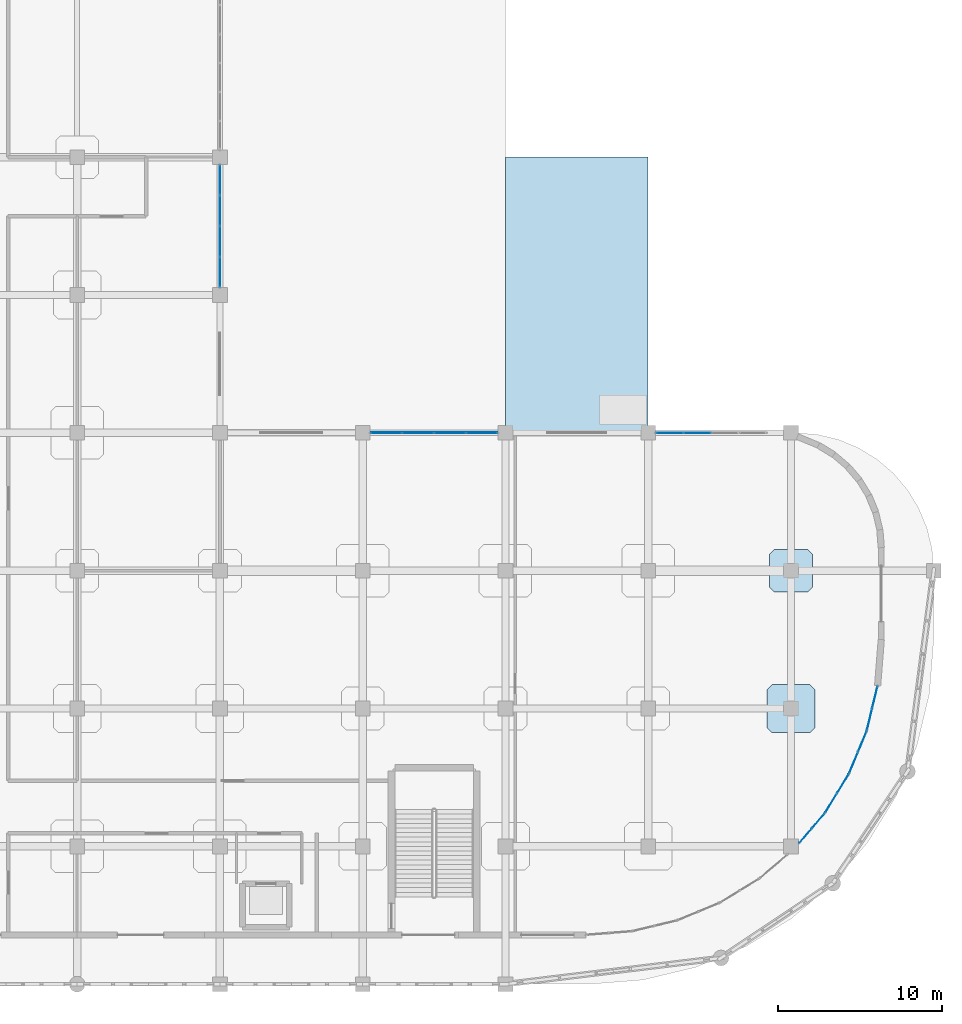
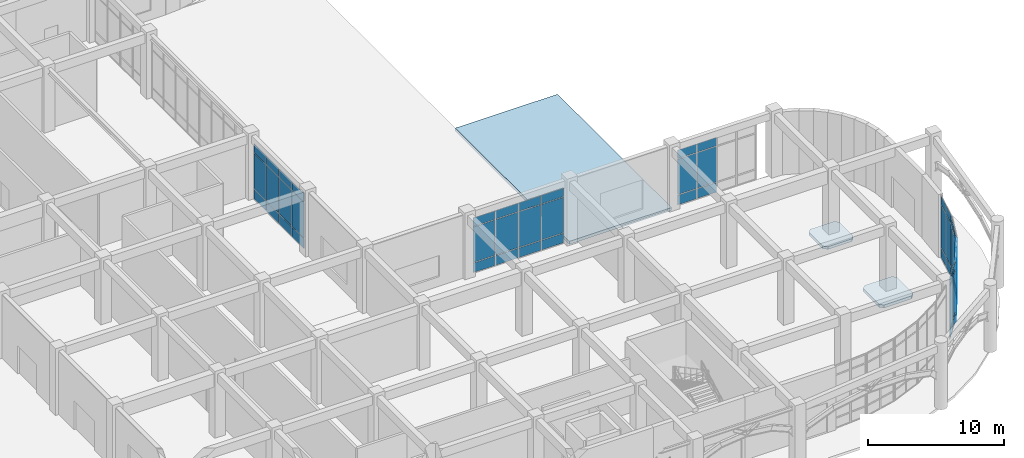
# One storey, part 57 of 82: 54 plates, 3 slabs, 7 elements without a shape of their own.
"""IFC4 building model written with IfcOpenShell, lengths in metres."""

from ifc_helpers import new_model, si_unit, derived_unit, direction, frame, origin, origin_2d, place, context, subcontext, project, spatial, polyline, rectangle, outline, extrude, material, layer, layer_set, type_object, element, aggregate, save


model = new_model("IFC4")

# Units and contexts
model_context = context("Model", 3, precision=1e-05, world=origin(), true_north=direction((0.0, 1.0)))
body_context = subcontext(model_context, "Body", "Model", "MODEL_VIEW")
ifc_project = project(units=[si_unit("LENGTHUNIT", "METRE"), si_unit("AREAUNIT", "SQUARE_METRE"), si_unit("VOLUMEUNIT", "CUBIC_METRE"), si_unit("PLANEANGLEUNIT", "RADIAN"), si_unit("MASSUNIT", "GRAM", prefix="KILO"), derived_unit("THERMALTRANSMITTANCEUNIT", [(si_unit("MASSUNIT", "GRAM", prefix="KILO"), 1), (si_unit("TIMEUNIT", "SECOND"), -3), (si_unit("THERMODYNAMICTEMPERATUREUNIT", "KELVIN"), -1)])], contexts=[model_context])

# Site, building, storey
site_placement = place(None, origin())
site = spatial("IfcSite", under=ifc_project, at=site_placement, CompositionType="ELEMENT")
building_placement = place(site_placement, origin())
building = spatial("IfcBuilding", under=site, at=building_placement, Name="Qinzheling Arcade Emporium", CompositionType="ELEMENT")
storey_placement = place(building_placement, origin())
storey = spatial("IfcBuildingStorey", under=building, at=storey_placement, Name="L01", CompositionType="ELEMENT", Elevation=0.0)

# Slabs
ifc_material_1 = material(Name="Concrete C40", Category="concrete")
ifc_layer_1 = layer(ifc_material_1, 0.235107421875, Name="Concrete C40", Category="concrete")
ifc_layer_set_1 = layer_set([ifc_layer_1], Name="Concrete C40")
slab_type_1 = type_object("IfcSlabType", Name="Column Head Drop Panel 2600x2600x235 C40", PredefinedType="USERDEFINED", material=ifc_layer_set_1)
slab_1_placement = place(storey_placement, frame((0.0, 0.0, -0.574951171875)))
element("IfcSlab", 1, at=slab_1_placement, inside=storey, type_object=slab_type_1, Name="Column Drop Panel DP-L01-20-D", ObjectType="DROP_PANEL", PredefinedType="USERDEFINED", context=body_context, shape_type="SweptSolid", body=[
    extrude(outline(polyline([(164.280029296875, 23.89990234375), (166.320068359375, 23.89990234375), (166.60009765625, 24.179931640625), (166.60009765625, 26.219970703125), (166.320068359375, 26.5), (164.280029296875, 26.5), (164.0, 26.219970703125), (164.0, 24.179931640625), (164.280029296875, 23.89990234375)])), origin(), (0.0, 0.0, 1.0), 0.23486328125),
])
ifc_layer_2 = layer(ifc_material_1, 0.27001953125, Name="Concrete C40", Category="concrete")
ifc_layer_set_2 = layer_set([ifc_layer_2], Name="Concrete C40")
slab_type_2 = type_object("IfcSlabType", Name="Column Head Drop Panel 2900x2900x270 C40", PredefinedType="USERDEFINED", material=ifc_layer_set_2)
slab_2_placement = place(storey_placement, frame((0.0, 0.0, -0.610107421875)))
element("IfcSlab", 2, at=slab_2_placement, inside=storey, type_object=slab_type_2, Name="Column Drop Panel DP-L01-20-C", ObjectType="DROP_PANEL", PredefinedType="USERDEFINED", context=body_context, shape_type="SweptSolid", body=[
    extrude(outline(polyline([(164.1298828125, 15.35009765625), (166.469970703125, 15.35009765625), (166.75, 15.6298828125), (166.75, 17.969970703125), (166.469970703125, 18.25), (164.1298828125, 18.25), (163.85009765625, 17.969970703125), (163.85009765625, 15.6298828125), (164.1298828125, 15.35009765625)])), origin(), (0.0, 0.0, 1.0), 0.27001953125),
])

# Curtain wall, plates
ifc_material_2 = material(Name="Anodised aluminium and solar-control double glazing", Category="aluminium")
ifc_layer_3 = layer(ifc_material_2, 0.159912109375, Name="Anodised aluminium and solar-control double glazing", Category="aluminium")
ifc_layer_set_3 = layer_set([ifc_layer_3], Name="Anodised aluminium and solar-control double glazing")
curtain_wall_type_1 = type_object("IfcCurtainWallType", Name="Food Hall Loggia Curtain Wall", PredefinedType="NOTDEFINED", material=ifc_layer_set_3)
curtain_wall_1_placement = place(storey_placement, origin())
curtain_wall_1 = element("IfcCurtainWall", 3, at=curtain_wall_1_placement, inside=storey, type_object=curtain_wall_type_1, Name="Curtain Wall CW-L01-048", PredefinedType="NOTDEFINED")
ifc_material_3 = material(Name="Laminated solar-control double glazing", Category="glass")
ifc_layer_4 = layer(ifc_material_3, 0.02099609375, Name="Laminated solar-control double glazing", Category="glass")
ifc_layer_set_4 = layer_set([ifc_layer_4], Name="Laminated solar-control double glazing")
plate_type_1 = type_object("IfcPlateType", Name="Low-E Double Glazed Curtain Panel 21mm", PredefinedType="CURTAIN_PANEL", material=ifc_layer_set_4)
plate_1_placement = place(storey_placement, frame((157.910400390625, 33.60009765625, 0.06005859375), z_axis=(0.0, 0.0, 1.0), x_axis=(1.0, 0.0, 0.0)))
plate_1 = element("IfcPlate", 4, at=plate_1_placement, type_object=plate_type_1, Name="CW04 panel 1.1", PredefinedType="CURTAIN_PANEL", context=body_context, shape_type="SweptSolid", body=[
    extrude(rectangle(XDim=1.596923828125, YDim=0.02099609375, at=origin_2d()), origin(), (0.0, 0.0, 1.0), 0.860107421875),
])
plate_2_placement = place(storey_placement, frame((157.910400390625, 33.60009765625, 0.97998046875), z_axis=(0.0, 0.0, 1.0), x_axis=(1.0, 0.0, 0.0)))
plate_2 = element("IfcPlate", 5, at=plate_2_placement, type_object=plate_type_1, Name="CW04 panel 1.2", PredefinedType="CURTAIN_PANEL", context=body_context, shape_type="SweptSolid", body=[
    extrude(rectangle(XDim=1.596923828125, YDim=0.02099609375, at=origin_2d()), origin(), (0.0, 0.0, 1.0), 3.179931640625),
])
plate_3_placement = place(storey_placement, frame((157.910400390625, 33.60009765625, 4.22021484375), z_axis=(0.0, 0.0, 1.0), x_axis=(1.0, 0.0, 0.0)))
plate_3 = element("IfcPlate", 6, at=plate_3_placement, type_object=plate_type_1, Name="CW04 panel 1.3", PredefinedType="CURTAIN_PANEL", context=body_context, shape_type="SweptSolid", body=[
    extrude(rectangle(XDim=1.596923828125, YDim=0.02099609375, at=origin_2d()), origin(), (0.0, 0.0, 1.0), 0.760009765625),
])
plate_4_placement = place(storey_placement, frame((159.58251953125, 33.60009765625, 0.06005859375), z_axis=(0.0, 0.0, 1.0), x_axis=(1.0, 0.0, 0.0)))
plate_4 = element("IfcPlate", 7, at=plate_4_placement, type_object=plate_type_1, Name="CW04 panel 2.1", PredefinedType="CURTAIN_PANEL", context=body_context, shape_type="SweptSolid", body=[
    extrude(rectangle(XDim=1.626953125, YDim=0.02099609375, at=origin_2d()), origin(), (0.0, 0.0, 1.0), 0.860107421875),
])
plate_5_placement = place(storey_placement, frame((159.58251953125, 33.60009765625, 0.97998046875), z_axis=(0.0, 0.0, 1.0), x_axis=(1.0, 0.0, 0.0)))
plate_5 = element("IfcPlate", 8, at=plate_5_placement, type_object=plate_type_1, Name="CW04 panel 2.2", PredefinedType="CURTAIN_PANEL", context=body_context, shape_type="SweptSolid", body=[
    extrude(rectangle(XDim=1.626953125, YDim=0.02099609375, at=origin_2d()), origin(), (0.0, 0.0, 1.0), 3.179931640625),
])
plate_6_placement = place(storey_placement, frame((159.58251953125, 33.60009765625, 4.22021484375), z_axis=(0.0, 0.0, 1.0), x_axis=(1.0, 0.0, 0.0)))
plate_6 = element("IfcPlate", 9, at=plate_6_placement, type_object=plate_type_1, Name="CW04 panel 2.3", PredefinedType="CURTAIN_PANEL", context=body_context, shape_type="SweptSolid", body=[
    extrude(rectangle(XDim=1.626953125, YDim=0.02099609375, at=origin_2d()), origin(), (0.0, 0.0, 1.0), 0.760009765625),
])
aggregate(curtain_wall_1, [plate_1, plate_2, plate_3, plate_4, plate_5, plate_6])

ifc_layer_5 = layer(ifc_material_2, 0.159912109375, Name="Anodised aluminium and solar-control double glazing", Category="aluminium")
ifc_layer_set_5 = layer_set([ifc_layer_5], Name="Anodised aluminium and solar-control double glazing")
curtain_wall_type_2 = type_object("IfcCurtainWallType", Name="Curved Ribbon Sales Curtain Wall", PredefinedType="NOTDEFINED", material=ifc_layer_set_5)
curtain_wall_2_placement = place(storey_placement, origin())
curtain_wall_2 = element("IfcCurtainWall", 10, at=curtain_wall_2_placement, inside=storey, type_object=curtain_wall_type_2, Name="Curtain Wall CW-L01-001", PredefinedType="NOTDEFINED")
ifc_layer_6 = layer(ifc_material_3, 0.02197265625, Name="Laminated solar-control double glazing", Category="glass")
ifc_layer_set_6 = layer_set([ifc_layer_6], Name="Laminated solar-control double glazing")
plate_type_2 = type_object("IfcPlateType", Name="Low-E Double Glazed Curtain Panel 22mm", PredefinedType="CURTAIN_PANEL", material=ifc_layer_set_6)
plate_7_placement = place(storey_placement, frame((170.40966796875, 17.48291015625, 0.06005859375), z_axis=(0.0, 0.0, 1.0), x_axis=(-0.233359559423, -0.972390516216, 0.0)))
plate_7 = element("IfcPlate", 11, at=plate_7_placement, type_object=plate_type_2, Name="CW02 panel 1.1", PredefinedType="CURTAIN_PANEL", context=body_context, shape_type="SweptSolid", body=[
    extrude(rectangle(XDim=1.322021484375, YDim=0.02197265625, at=origin_2d()), origin(), (0.0, 0.0, 1.0), 0.860107421875),
])
plate_8_placement = place(storey_placement, frame((170.40966796875, 17.48291015625, 0.97998046875), z_axis=(0.0, 0.0, 1.0), x_axis=(-0.233359559423, -0.972390516216, 0.0)))
plate_8 = element("IfcPlate", 12, at=plate_8_placement, type_object=plate_type_2, Name="CW02 panel 1.2", PredefinedType="CURTAIN_PANEL", context=body_context, shape_type="SweptSolid", body=[
    extrude(rectangle(XDim=1.322021484375, YDim=0.02197265625, at=origin_2d()), origin(), (0.0, 0.0, 1.0), 3.800048828125),
])
plate_9_placement = place(storey_placement, frame((170.40966796875, 17.48291015625, 4.83984375), z_axis=(0.0, 0.0, 1.0), x_axis=(-0.233359559423, -0.972390516216, 0.0)))
plate_9 = element("IfcPlate", 13, at=plate_9_placement, type_object=plate_type_2, Name="CW02 panel 1.3", PredefinedType="CURTAIN_PANEL", context=body_context, shape_type="SweptSolid", body=[
    extrude(rectangle(XDim=1.322021484375, YDim=0.02197265625, at=origin_2d()), origin(), (0.0, 0.0, 1.0), 0.760009765625),
])
plate_10_placement = place(storey_placement, frame((170.087158203125, 16.13916015625, 0.06005859375), z_axis=(0.0, 0.0, 1.0), x_axis=(-0.233359559423, -0.972390516216, 0.0)))
plate_10 = element("IfcPlate", 14, at=plate_10_placement, type_object=plate_type_2, Name="CW02 panel 2.1", PredefinedType="CURTAIN_PANEL", context=body_context, shape_type="SweptSolid", body=[
    extrude(rectangle(XDim=1.322021484375, YDim=0.02197265625, at=origin_2d()), origin(), (0.0, 0.0, 1.0), 0.860107421875),
])
plate_11_placement = place(storey_placement, frame((170.087158203125, 16.13916015625, 0.97998046875), z_axis=(0.0, 0.0, 1.0), x_axis=(-0.233359559423, -0.972390516216, 0.0)))
plate_11 = element("IfcPlate", 15, at=plate_11_placement, type_object=plate_type_2, Name="CW02 panel 2.2", PredefinedType="CURTAIN_PANEL", context=body_context, shape_type="SweptSolid", body=[
    extrude(rectangle(XDim=1.322021484375, YDim=0.02197265625, at=origin_2d()), origin(), (0.0, 0.0, 1.0), 3.800048828125),
])
plate_12_placement = place(storey_placement, frame((170.087158203125, 16.13916015625, 4.83984375), z_axis=(0.0, 0.0, 1.0), x_axis=(-0.233359559423, -0.972390516216, 0.0)))
plate_12 = element("IfcPlate", 16, at=plate_12_placement, type_object=plate_type_2, Name="CW02 panel 2.3", PredefinedType="CURTAIN_PANEL", context=body_context, shape_type="SweptSolid", body=[
    extrude(rectangle(XDim=1.322021484375, YDim=0.02197265625, at=origin_2d()), origin(), (0.0, 0.0, 1.0), 0.760009765625),
])
aggregate(curtain_wall_2, [plate_7, plate_8, plate_9, plate_10, plate_11, plate_12])

curtain_wall_3_placement = place(storey_placement, origin())
curtain_wall_3 = element("IfcCurtainWall", 17, at=curtain_wall_3_placement, inside=storey, type_object=curtain_wall_type_2, Name="Curtain Wall CW-L01-002", PredefinedType="NOTDEFINED")
ifc_layer_7 = layer(ifc_material_3, 0.02392578125, Name="Laminated solar-control double glazing", Category="glass")
ifc_layer_set_7 = layer_set([ifc_layer_7], Name="Laminated solar-control double glazing")
plate_type_3 = type_object("IfcPlateType", Name="Low-E Double Glazed Curtain Panel 24mm", PredefinedType="CURTAIN_PANEL", material=ifc_layer_set_7)
plate_13_placement = place(storey_placement, frame((169.64306640625, 14.771728515625, 0.06005859375), z_axis=(0.0, 0.0, 1.0), x_axis=(-0.382654004198, -0.923891721508, 0.0)))
plate_13 = element("IfcPlate", 18, at=plate_13_placement, type_object=plate_type_3, Name="CW02 panel 1.1", PredefinedType="CURTAIN_PANEL", context=body_context, shape_type="SweptSolid", body=[
    extrude(rectangle(XDim=1.322509765625, YDim=0.02392578125, at=origin_2d()), origin(), (0.0, 0.0, 1.0), 0.860107421875),
])
plate_14_placement = place(storey_placement, frame((169.64306640625, 14.771728515625, 0.97998046875), z_axis=(0.0, 0.0, 1.0), x_axis=(-0.382654004198, -0.923891721508, 0.0)))
plate_14 = element("IfcPlate", 19, at=plate_14_placement, type_object=plate_type_3, Name="CW02 panel 1.2", PredefinedType="CURTAIN_PANEL", context=body_context, shape_type="SweptSolid", body=[
    extrude(rectangle(XDim=1.322509765625, YDim=0.02392578125, at=origin_2d()), origin(), (0.0, 0.0, 1.0), 3.800048828125),
])
plate_15_placement = place(storey_placement, frame((169.64306640625, 14.771728515625, 4.83984375), z_axis=(0.0, 0.0, 1.0), x_axis=(-0.382654004198, -0.923891721508, 0.0)))
plate_15 = element("IfcPlate", 20, at=plate_15_placement, type_object=plate_type_3, Name="CW02 panel 1.3", PredefinedType="CURTAIN_PANEL", context=body_context, shape_type="SweptSolid", body=[
    extrude(rectangle(XDim=1.322509765625, YDim=0.02392578125, at=origin_2d()), origin(), (0.0, 0.0, 1.0), 0.760009765625),
])
plate_16_placement = place(storey_placement, frame((169.114013671875, 13.494384765625, 0.06005859375), z_axis=(0.0, 0.0, 1.0), x_axis=(-0.382654004198, -0.923891721508, 0.0)))
plate_16 = element("IfcPlate", 21, at=plate_16_placement, type_object=plate_type_3, Name="CW02 panel 2.1", PredefinedType="CURTAIN_PANEL", context=body_context, shape_type="SweptSolid", body=[
    extrude(rectangle(XDim=1.322509765625, YDim=0.02392578125, at=origin_2d()), origin(), (0.0, 0.0, 1.0), 0.860107421875),
])
plate_17_placement = place(storey_placement, frame((169.114013671875, 13.494384765625, 0.97998046875), z_axis=(0.0, 0.0, 1.0), x_axis=(-0.382654004198, -0.923891721508, 0.0)))
plate_17 = element("IfcPlate", 22, at=plate_17_placement, type_object=plate_type_3, Name="CW02 panel 2.2", PredefinedType="CURTAIN_PANEL", context=body_context, shape_type="SweptSolid", body=[
    extrude(rectangle(XDim=1.322509765625, YDim=0.02392578125, at=origin_2d()), origin(), (0.0, 0.0, 1.0), 3.800048828125),
])
plate_18_placement = place(storey_placement, frame((169.114013671875, 13.494384765625, 4.83984375), z_axis=(0.0, 0.0, 1.0), x_axis=(-0.382654004198, -0.923891721508, 0.0)))
plate_18 = element("IfcPlate", 23, at=plate_18_placement, type_object=plate_type_3, Name="CW02 panel 2.3", PredefinedType="CURTAIN_PANEL", context=body_context, shape_type="SweptSolid", body=[
    extrude(rectangle(XDim=1.322509765625, YDim=0.02392578125, at=origin_2d()), origin(), (0.0, 0.0, 1.0), 0.760009765625),
])
aggregate(curtain_wall_3, [plate_13, plate_14, plate_15, plate_16, plate_17, plate_18])

curtain_wall_4_placement = place(storey_placement, origin())
curtain_wall_4 = element("IfcCurtainWall", 24, at=curtain_wall_4_placement, inside=storey, type_object=curtain_wall_type_2, Name="Curtain Wall CW-L01-003", PredefinedType="NOTDEFINED")
ifc_layer_8 = layer(ifc_material_3, 0.02490234375, Name="Laminated solar-control double glazing", Category="glass")
ifc_layer_set_8 = layer_set([ifc_layer_8], Name="Laminated solar-control double glazing")
plate_type_4 = type_object("IfcPlateType", Name="Low-E Double Glazed Curtain Panel 25mm", PredefinedType="CURTAIN_PANEL", material=ifc_layer_set_8)
plate_19_placement = place(storey_placement, frame((168.461181640625, 12.213134765625, 0.06005859375), z_axis=(0.0, 0.0, 1.0), x_axis=(-0.522595267575, -0.852580897222, 0.0)))
plate_19 = element("IfcPlate", 25, at=plate_19_placement, type_object=plate_type_4, Name="CW02 panel 1.1", PredefinedType="CURTAIN_PANEL", context=body_context, shape_type="SweptSolid", body=[
    extrude(rectangle(XDim=1.322265625, YDim=0.02490234375, at=origin_2d()), origin(), (0.0, 0.0, 1.0), 0.860107421875),
])
plate_20_placement = place(storey_placement, frame((168.461181640625, 12.213134765625, 0.97998046875), z_axis=(0.0, 0.0, 1.0), x_axis=(-0.522595267575, -0.852580897222, 0.0)))
plate_20 = element("IfcPlate", 26, at=plate_20_placement, type_object=plate_type_4, Name="CW02 panel 1.2", PredefinedType="CURTAIN_PANEL", context=body_context, shape_type="SweptSolid", body=[
    extrude(rectangle(XDim=1.322265625, YDim=0.02490234375, at=origin_2d()), origin(), (0.0, 0.0, 1.0), 3.800048828125),
])
plate_21_placement = place(storey_placement, frame((168.461181640625, 12.213134765625, 4.83984375), z_axis=(0.0, 0.0, 1.0), x_axis=(-0.522595267575, -0.852580897222, 0.0)))
plate_21 = element("IfcPlate", 27, at=plate_21_placement, type_object=plate_type_4, Name="CW02 panel 1.3", PredefinedType="CURTAIN_PANEL", context=body_context, shape_type="SweptSolid", body=[
    extrude(rectangle(XDim=1.322265625, YDim=0.02490234375, at=origin_2d()), origin(), (0.0, 0.0, 1.0), 0.760009765625),
])
plate_22_placement = place(storey_placement, frame((167.73876953125, 11.03466796875, 0.06005859375), z_axis=(0.0, 0.0, 1.0), x_axis=(-0.522595267575, -0.852580897222, 0.0)))
plate_22 = element("IfcPlate", 28, at=plate_22_placement, type_object=plate_type_4, Name="CW02 panel 2.1", PredefinedType="CURTAIN_PANEL", context=body_context, shape_type="SweptSolid", body=[
    extrude(rectangle(XDim=1.322265625, YDim=0.02490234375, at=origin_2d()), origin(), (0.0, 0.0, 1.0), 0.860107421875),
])
plate_23_placement = place(storey_placement, frame((167.73876953125, 11.03466796875, 0.97998046875), z_axis=(0.0, 0.0, 1.0), x_axis=(-0.522595267575, -0.852580897222, 0.0)))
plate_23 = element("IfcPlate", 29, at=plate_23_placement, type_object=plate_type_4, Name="CW02 panel 2.2", PredefinedType="CURTAIN_PANEL", context=body_context, shape_type="SweptSolid", body=[
    extrude(rectangle(XDim=1.322265625, YDim=0.02490234375, at=origin_2d()), origin(), (0.0, 0.0, 1.0), 3.800048828125),
])
plate_24_placement = place(storey_placement, frame((167.73876953125, 11.03466796875, 4.83984375), z_axis=(0.0, 0.0, 1.0), x_axis=(-0.522595267575, -0.852580897222, 0.0)))
plate_24 = element("IfcPlate", 30, at=plate_24_placement, type_object=plate_type_4, Name="CW02 panel 2.3", PredefinedType="CURTAIN_PANEL", context=body_context, shape_type="SweptSolid", body=[
    extrude(rectangle(XDim=1.322265625, YDim=0.02490234375, at=origin_2d()), origin(), (0.0, 0.0, 1.0), 0.760009765625),
])
aggregate(curtain_wall_4, [plate_19, plate_20, plate_21, plate_22, plate_23, plate_24])

curtain_wall_5_placement = place(storey_placement, origin())
curtain_wall_5 = element("IfcCurtainWall", 31, at=curtain_wall_5_placement, inside=storey, type_object=curtain_wall_type_2, Name="Curtain Wall CW-L01-004", PredefinedType="NOTDEFINED")
ifc_layer_9 = layer(ifc_material_3, 0.02587890625, Name="Laminated solar-control double glazing", Category="glass")
ifc_layer_set_9 = layer_set([ifc_layer_9], Name="Laminated solar-control double glazing")
plate_type_5 = type_object("IfcPlateType", Name="Low-E Double Glazed Curtain Panel 26mm", PredefinedType="CURTAIN_PANEL", material=ifc_layer_set_9)
plate_25_placement = place(storey_placement, frame((166.958984375, 9.94775390625, 0.06005859375), z_axis=(0.0, 0.0, 1.0), x_axis=(-0.649192503401, -0.760624147347, 0.0)))
plate_25 = element("IfcPlate", 32, at=plate_25_placement, type_object=plate_type_5, Name="CW02 panel 1.1", PredefinedType="CURTAIN_PANEL", context=body_context, shape_type="SweptSolid", body=[
    extrude(rectangle(XDim=1.12158203125, YDim=0.02587890625, at=origin_2d()), origin(), (0.0, 0.0, 1.0), 0.860107421875),
])
plate_26_placement = place(storey_placement, frame((166.958984375, 9.94775390625, 0.97998046875), z_axis=(0.0, 0.0, 1.0), x_axis=(-0.649192503401, -0.760624147347, 0.0)))
plate_26 = element("IfcPlate", 33, at=plate_26_placement, type_object=plate_type_5, Name="CW02 panel 1.2", PredefinedType="CURTAIN_PANEL", context=body_context, shape_type="SweptSolid", body=[
    extrude(rectangle(XDim=1.12158203125, YDim=0.02587890625, at=origin_2d()), origin(), (0.0, 0.0, 1.0), 3.800048828125),
])
plate_27_placement = place(storey_placement, frame((166.958984375, 9.94775390625, 4.83984375), z_axis=(0.0, 0.0, 1.0), x_axis=(-0.649192503401, -0.760624147347, 0.0)))
plate_27 = element("IfcPlate", 34, at=plate_27_placement, type_object=plate_type_5, Name="CW02 panel 1.3", PredefinedType="CURTAIN_PANEL", context=body_context, shape_type="SweptSolid", body=[
    extrude(rectangle(XDim=1.12158203125, YDim=0.02587890625, at=origin_2d()), origin(), (0.0, 0.0, 1.0), 0.760009765625),
])
plate_28_placement = place(storey_placement, frame((166.19189453125, 9.049072265625, 0.06005859375), z_axis=(0.0, 0.0, 1.0), x_axis=(-0.649192503401, -0.760624147347, 0.0)))
plate_28 = element("IfcPlate", 35, at=plate_28_placement, type_object=plate_type_5, Name="CW02 panel 2.1", PredefinedType="CURTAIN_PANEL", context=body_context, shape_type="SweptSolid", body=[
    extrude(rectangle(XDim=1.12158203125, YDim=0.02587890625, at=origin_2d()), origin(), (0.0, 0.0, 1.0), 0.860107421875),
])
plate_29_placement = place(storey_placement, frame((166.19189453125, 9.049072265625, 0.97998046875), z_axis=(0.0, 0.0, 1.0), x_axis=(-0.649192503401, -0.760624147347, 0.0)))
plate_29 = element("IfcPlate", 36, at=plate_29_placement, type_object=plate_type_5, Name="CW02 panel 2.2", PredefinedType="CURTAIN_PANEL", context=body_context, shape_type="SweptSolid", body=[
    extrude(rectangle(XDim=1.12158203125, YDim=0.02587890625, at=origin_2d()), origin(), (0.0, 0.0, 1.0), 3.800048828125),
])
plate_30_placement = place(storey_placement, frame((166.19189453125, 9.049072265625, 4.83984375), z_axis=(0.0, 0.0, 1.0), x_axis=(-0.649192503401, -0.760624147347, 0.0)))
plate_30 = element("IfcPlate", 37, at=plate_30_placement, type_object=plate_type_5, Name="CW02 panel 2.3", PredefinedType="CURTAIN_PANEL", context=body_context, shape_type="SweptSolid", body=[
    extrude(rectangle(XDim=1.12158203125, YDim=0.02587890625, at=origin_2d()), origin(), (0.0, 0.0, 1.0), 0.760009765625),
])
aggregate(curtain_wall_5, [plate_25, plate_26, plate_27, plate_28, plate_29, plate_30])

ifc_layer_10 = layer(ifc_material_2, 0.159912109375, Name="Anodised aluminium and solar-control double glazing", Category="aluminium")
ifc_layer_set_10 = layer_set([ifc_layer_10], Name="Anodised aluminium and solar-control double glazing")
curtain_wall_type_3 = type_object("IfcCurtainWallType", Name="Street Arcade Stick Curtain Wall", PredefinedType="NOTDEFINED", material=ifc_layer_set_10)
curtain_wall_6_placement = place(storey_placement, origin())
curtain_wall_6 = element("IfcCurtainWall", 38, at=curtain_wall_6_placement, inside=storey, type_object=curtain_wall_type_3, Name="Curtain Wall CW-L01-046", PredefinedType="NOTDEFINED")
ifc_layer_11 = layer(ifc_material_3, 0.0400390625, Name="Laminated solar-control double glazing", Category="glass")
ifc_layer_set_11 = layer_set([ifc_layer_11], Name="Laminated solar-control double glazing")
plate_type_6 = type_object("IfcPlateType", Name="Low-E Double Glazed Curtain Panel 40mm", PredefinedType="CURTAIN_PANEL", material=ifc_layer_set_11)
plate_31_placement = place(storey_placement, frame((130.5, 48.99609375, 0.06005859375), z_axis=(0.0, 0.0, 1.0), x_axis=(0.0, -1.0, 0.0)))
plate_31 = element("IfcPlate", 39, at=plate_31_placement, type_object=plate_type_6, Name="CW01 panel 1.1", PredefinedType="CURTAIN_PANEL", context=body_context, shape_type="SweptSolid", body=[
    extrude(rectangle(XDim=1.783935546875, YDim=0.0400390625, at=origin_2d()), origin(), (0.0, 0.0, 1.0), 0.860107421875),
])
plate_32_placement = place(storey_placement, frame((130.5, 48.99609375, 0.97998046875), z_axis=(0.0, 0.0, 1.0), x_axis=(0.0, -1.0, 0.0)))
plate_32 = element("IfcPlate", 40, at=plate_32_placement, type_object=plate_type_6, Name="CW01 panel 1.2", PredefinedType="CURTAIN_PANEL", context=body_context, shape_type="SweptSolid", body=[
    extrude(rectangle(XDim=1.783935546875, YDim=0.0400390625, at=origin_2d()), origin(), (0.0, 0.0, 1.0), 3.195068359375),
])
plate_33_placement = place(storey_placement, frame((130.5, 48.99609375, 4.23486328125), z_axis=(0.0, 0.0, 1.0), x_axis=(0.0, -1.0, 0.0)))
plate_33 = element("IfcPlate", 41, at=plate_33_placement, type_object=plate_type_6, Name="CW01 panel 1.3", PredefinedType="CURTAIN_PANEL", context=body_context, shape_type="SweptSolid", body=[
    extrude(rectangle(XDim=1.783935546875, YDim=0.0400390625, at=origin_2d()), origin(), (0.0, 0.0, 1.0), 0.760009765625),
])
plate_34_placement = place(storey_placement, frame((130.5, 47.136962890625, 0.06005859375), z_axis=(0.0, 0.0, 1.0), x_axis=(0.0, -1.0, 0.0)))
plate_34 = element("IfcPlate", 42, at=plate_34_placement, type_object=plate_type_6, Name="CW01 panel 2.1", PredefinedType="CURTAIN_PANEL", context=body_context, shape_type="SweptSolid", body=[
    extrude(rectangle(XDim=1.81396484375, YDim=0.0400390625, at=origin_2d()), origin(), (0.0, 0.0, 1.0), 0.860107421875),
])
plate_35_placement = place(storey_placement, frame((130.5, 47.136962890625, 0.97998046875), z_axis=(0.0, 0.0, 1.0), x_axis=(0.0, -1.0, 0.0)))
plate_35 = element("IfcPlate", 43, at=plate_35_placement, type_object=plate_type_6, Name="CW01 panel 2.2", PredefinedType="CURTAIN_PANEL", context=body_context, shape_type="SweptSolid", body=[
    extrude(rectangle(XDim=1.81396484375, YDim=0.0400390625, at=origin_2d()), origin(), (0.0, 0.0, 1.0), 3.195068359375),
])
plate_36_placement = place(storey_placement, frame((130.5, 47.136962890625, 4.23486328125), z_axis=(0.0, 0.0, 1.0), x_axis=(0.0, -1.0, 0.0)))
plate_36 = element("IfcPlate", 44, at=plate_36_placement, type_object=plate_type_6, Name="CW01 panel 2.3", PredefinedType="CURTAIN_PANEL", context=body_context, shape_type="SweptSolid", body=[
    extrude(rectangle(XDim=1.81396484375, YDim=0.0400390625, at=origin_2d()), origin(), (0.0, 0.0, 1.0), 0.760009765625),
])
plate_37_placement = place(storey_placement, frame((130.5, 45.262939453125, 0.06005859375), z_axis=(0.0, 0.0, 1.0), x_axis=(0.0, -1.0, 0.0)))
plate_37 = element("IfcPlate", 45, at=plate_37_placement, type_object=plate_type_6, Name="CW01 panel 3.1", PredefinedType="CURTAIN_PANEL", context=body_context, shape_type="SweptSolid", body=[
    extrude(rectangle(XDim=1.81396484375, YDim=0.0400390625, at=origin_2d()), origin(), (0.0, 0.0, 1.0), 0.860107421875),
])
plate_38_placement = place(storey_placement, frame((130.5, 45.262939453125, 0.97998046875), z_axis=(0.0, 0.0, 1.0), x_axis=(0.0, -1.0, 0.0)))
plate_38 = element("IfcPlate", 46, at=plate_38_placement, type_object=plate_type_6, Name="CW01 panel 3.2", PredefinedType="CURTAIN_PANEL", context=body_context, shape_type="SweptSolid", body=[
    extrude(rectangle(XDim=1.81396484375, YDim=0.0400390625, at=origin_2d()), origin(), (0.0, 0.0, 1.0), 3.195068359375),
])
plate_39_placement = place(storey_placement, frame((130.5, 45.262939453125, 4.23486328125), z_axis=(0.0, 0.0, 1.0), x_axis=(0.0, -1.0, 0.0)))
plate_39 = element("IfcPlate", 47, at=plate_39_placement, type_object=plate_type_6, Name="CW01 panel 3.3", PredefinedType="CURTAIN_PANEL", context=body_context, shape_type="SweptSolid", body=[
    extrude(rectangle(XDim=1.81396484375, YDim=0.0400390625, at=origin_2d()), origin(), (0.0, 0.0, 1.0), 0.760009765625),
])
plate_40_placement = place(storey_placement, frame((130.5, 43.404052734375, 0.06005859375), z_axis=(0.0, 0.0, 1.0), x_axis=(0.0, -1.0, 0.0)))
plate_40 = element("IfcPlate", 48, at=plate_40_placement, type_object=plate_type_6, Name="CW01 panel 4.1", PredefinedType="CURTAIN_PANEL", context=body_context, shape_type="SweptSolid", body=[
    extrude(rectangle(XDim=1.783935546875, YDim=0.0400390625, at=origin_2d()), origin(), (0.0, 0.0, 1.0), 0.860107421875),
])
plate_41_placement = place(storey_placement, frame((130.5, 43.404052734375, 0.97998046875), z_axis=(0.0, 0.0, 1.0), x_axis=(0.0, -1.0, 0.0)))
plate_41 = element("IfcPlate", 49, at=plate_41_placement, type_object=plate_type_6, Name="CW01 panel 4.2", PredefinedType="CURTAIN_PANEL", context=body_context, shape_type="SweptSolid", body=[
    extrude(rectangle(XDim=1.783935546875, YDim=0.0400390625, at=origin_2d()), origin(), (0.0, 0.0, 1.0), 3.195068359375),
])
plate_42_placement = place(storey_placement, frame((130.5, 43.404052734375, 4.23486328125), z_axis=(0.0, 0.0, 1.0), x_axis=(0.0, -1.0, 0.0)))
plate_42 = element("IfcPlate", 50, at=plate_42_placement, type_object=plate_type_6, Name="CW01 panel 4.3", PredefinedType="CURTAIN_PANEL", context=body_context, shape_type="SweptSolid", body=[
    extrude(rectangle(XDim=1.783935546875, YDim=0.0400390625, at=origin_2d()), origin(), (0.0, 0.0, 1.0), 0.760009765625),
])
aggregate(curtain_wall_6, [plate_31, plate_32, plate_33, plate_34, plate_35, plate_36, plate_37, plate_38, plate_39, plate_40, plate_41, plate_42])

curtain_wall_7_placement = place(storey_placement, origin())
curtain_wall_7 = element("IfcCurtainWall", 51, at=curtain_wall_7_placement, inside=storey, type_object=curtain_wall_type_1, Name="Curtain Wall CW-L01-047", PredefinedType="NOTDEFINED")
ifc_layer_12 = layer(ifc_material_3, 0.0419921875, Name="Laminated solar-control double glazing", Category="glass")
ifc_layer_set_12 = layer_set([ifc_layer_12], Name="Laminated solar-control double glazing")
plate_type_7 = type_object("IfcPlateType", Name="Low-E Double Glazed Curtain Panel 42mm", PredefinedType="CURTAIN_PANEL", material=ifc_layer_set_12)
plate_43_placement = place(storey_placement, frame((140.6416015625, 33.60009765625, 0.06005859375), z_axis=(0.0, 0.0, 1.0), x_axis=(1.0, 0.0, 0.0)))
plate_43 = element("IfcPlate", 52, at=plate_43_placement, type_object=plate_type_7, Name="CW04 panel 1.1", PredefinedType="CURTAIN_PANEL", context=body_context, shape_type="SweptSolid", body=[
    extrude(rectangle(XDim=1.85888671875, YDim=0.0419921875, at=origin_2d()), origin(), (0.0, 0.0, 1.0), 0.860107421875),
])
plate_44_placement = place(storey_placement, frame((140.6416015625, 33.60009765625, 0.97998046875), z_axis=(0.0, 0.0, 1.0), x_axis=(1.0, 0.0, 0.0)))
plate_44 = element("IfcPlate", 53, at=plate_44_placement, type_object=plate_type_7, Name="CW04 panel 1.2", PredefinedType="CURTAIN_PANEL", context=body_context, shape_type="SweptSolid", body=[
    extrude(rectangle(XDim=1.85888671875, YDim=0.0419921875, at=origin_2d()), origin(), (0.0, 0.0, 1.0), 3.179931640625),
])
plate_45_placement = place(storey_placement, frame((140.6416015625, 33.60009765625, 4.22021484375), z_axis=(0.0, 0.0, 1.0), x_axis=(1.0, 0.0, 0.0)))
plate_45 = element("IfcPlate", 54, at=plate_45_placement, type_object=plate_type_7, Name="CW04 panel 1.3", PredefinedType="CURTAIN_PANEL", context=body_context, shape_type="SweptSolid", body=[
    extrude(rectangle(XDim=1.85888671875, YDim=0.0419921875, at=origin_2d()), origin(), (0.0, 0.0, 1.0), 0.760009765625),
])
plate_46_placement = place(storey_placement, frame((142.575439453125, 33.60009765625, 0.06005859375), z_axis=(0.0, 0.0, 1.0), x_axis=(1.0, 0.0, 0.0)))
plate_46 = element("IfcPlate", 55, at=plate_46_placement, type_object=plate_type_7, Name="CW04 panel 2.1", PredefinedType="CURTAIN_PANEL", context=body_context, shape_type="SweptSolid", body=[
    extrude(rectangle(XDim=1.888916015625, YDim=0.0419921875, at=origin_2d()), origin(), (0.0, 0.0, 1.0), 0.860107421875),
])
plate_47_placement = place(storey_placement, frame((142.575439453125, 33.60009765625, 0.97998046875), z_axis=(0.0, 0.0, 1.0), x_axis=(1.0, 0.0, 0.0)))
plate_47 = element("IfcPlate", 56, at=plate_47_placement, type_object=plate_type_7, Name="CW04 panel 2.2", PredefinedType="CURTAIN_PANEL", context=body_context, shape_type="SweptSolid", body=[
    extrude(rectangle(XDim=1.888916015625, YDim=0.0419921875, at=origin_2d()), origin(), (0.0, 0.0, 1.0), 3.179931640625),
])
plate_48_placement = place(storey_placement, frame((142.575439453125, 33.60009765625, 4.22021484375), z_axis=(0.0, 0.0, 1.0), x_axis=(1.0, 0.0, 0.0)))
plate_48 = element("IfcPlate", 57, at=plate_48_placement, type_object=plate_type_7, Name="CW04 panel 2.3", PredefinedType="CURTAIN_PANEL", context=body_context, shape_type="SweptSolid", body=[
    extrude(rectangle(XDim=1.888916015625, YDim=0.0419921875, at=origin_2d()), origin(), (0.0, 0.0, 1.0), 0.760009765625),
])
plate_49_placement = place(storey_placement, frame((144.5244140625, 33.60009765625, 0.06005859375), z_axis=(0.0, 0.0, 1.0), x_axis=(1.0, 0.0, 0.0)))
plate_49 = element("IfcPlate", 58, at=plate_49_placement, type_object=plate_type_7, Name="CW04 panel 3.1", PredefinedType="CURTAIN_PANEL", context=body_context, shape_type="SweptSolid", body=[
    extrude(rectangle(XDim=1.888916015625, YDim=0.0419921875, at=origin_2d()), origin(), (0.0, 0.0, 1.0), 0.860107421875),
])
plate_50_placement = place(storey_placement, frame((144.5244140625, 33.60009765625, 0.97998046875), z_axis=(0.0, 0.0, 1.0), x_axis=(1.0, 0.0, 0.0)))
plate_50 = element("IfcPlate", 59, at=plate_50_placement, type_object=plate_type_7, Name="CW04 panel 3.2", PredefinedType="CURTAIN_PANEL", context=body_context, shape_type="SweptSolid", body=[
    extrude(rectangle(XDim=1.888916015625, YDim=0.0419921875, at=origin_2d()), origin(), (0.0, 0.0, 1.0), 3.179931640625),
])
plate_51_placement = place(storey_placement, frame((144.5244140625, 33.60009765625, 4.22021484375), z_axis=(0.0, 0.0, 1.0), x_axis=(1.0, 0.0, 0.0)))
plate_51 = element("IfcPlate", 60, at=plate_51_placement, type_object=plate_type_7, Name="CW04 panel 3.3", PredefinedType="CURTAIN_PANEL", context=body_context, shape_type="SweptSolid", body=[
    extrude(rectangle(XDim=1.888916015625, YDim=0.0419921875, at=origin_2d()), origin(), (0.0, 0.0, 1.0), 0.760009765625),
])
plate_52_placement = place(storey_placement, frame((146.45849609375, 33.60009765625, 0.06005859375), z_axis=(0.0, 0.0, 1.0), x_axis=(1.0, 0.0, 0.0)))
plate_52 = element("IfcPlate", 61, at=plate_52_placement, type_object=plate_type_7, Name="CW04 panel 4.1", PredefinedType="CURTAIN_PANEL", context=body_context, shape_type="SweptSolid", body=[
    extrude(rectangle(XDim=1.85888671875, YDim=0.0419921875, at=origin_2d()), origin(), (0.0, 0.0, 1.0), 0.860107421875),
])
plate_53_placement = place(storey_placement, frame((146.45849609375, 33.60009765625, 0.97998046875), z_axis=(0.0, 0.0, 1.0), x_axis=(1.0, 0.0, 0.0)))
plate_53 = element("IfcPlate", 62, at=plate_53_placement, type_object=plate_type_7, Name="CW04 panel 4.2", PredefinedType="CURTAIN_PANEL", context=body_context, shape_type="SweptSolid", body=[
    extrude(rectangle(XDim=1.85888671875, YDim=0.0419921875, at=origin_2d()), origin(), (0.0, 0.0, 1.0), 3.179931640625),
])
plate_54_placement = place(storey_placement, frame((146.45849609375, 33.60009765625, 4.22021484375), z_axis=(0.0, 0.0, 1.0), x_axis=(1.0, 0.0, 0.0)))
plate_54 = element("IfcPlate", 63, at=plate_54_placement, type_object=plate_type_7, Name="CW04 panel 4.3", PredefinedType="CURTAIN_PANEL", context=body_context, shape_type="SweptSolid", body=[
    extrude(rectangle(XDim=1.85888671875, YDim=0.0419921875, at=origin_2d()), origin(), (0.0, 0.0, 1.0), 0.760009765625),
])
aggregate(curtain_wall_7, [plate_43, plate_44, plate_45, plate_46, plate_47, plate_48, plate_49, plate_50, plate_51, plate_52, plate_53, plate_54])

# Slab
ifc_layer_13 = layer(ifc_material_1, 0.27490234375, Name="Concrete C40", Category="concrete")
ifc_layer_set_13 = layer_set([ifc_layer_13], Name="Concrete C40")
slab_type_3 = type_object("IfcSlabType", Name="Planted Court Terrace Slab 275 C40", PredefinedType="FLOOR", material=ifc_layer_set_13)
slab_3_placement = place(storey_placement, frame((0.0, 0.0, -0.27490234375)))
element("IfcSlab", 64, at=slab_3_placement, inside=storey, type_object=slab_type_3, Name="Stepped Granite Plinth SLB-L01-PLINTH-EAST-180", PredefinedType="FLOOR", context=body_context, shape_type="SweptSolid", body=[
    extrude(outline(polyline([(156.60009765625, 33.60009765625), (156.60009765625, 50.39990234375), (147.89990234375, 50.39990234375), (147.89990234375, 33.60009765625), (156.60009765625, 33.60009765625)])), origin(), (0.0, 0.0, 1.0), 0.27490234375),
])

save(model, "model.ifc")
